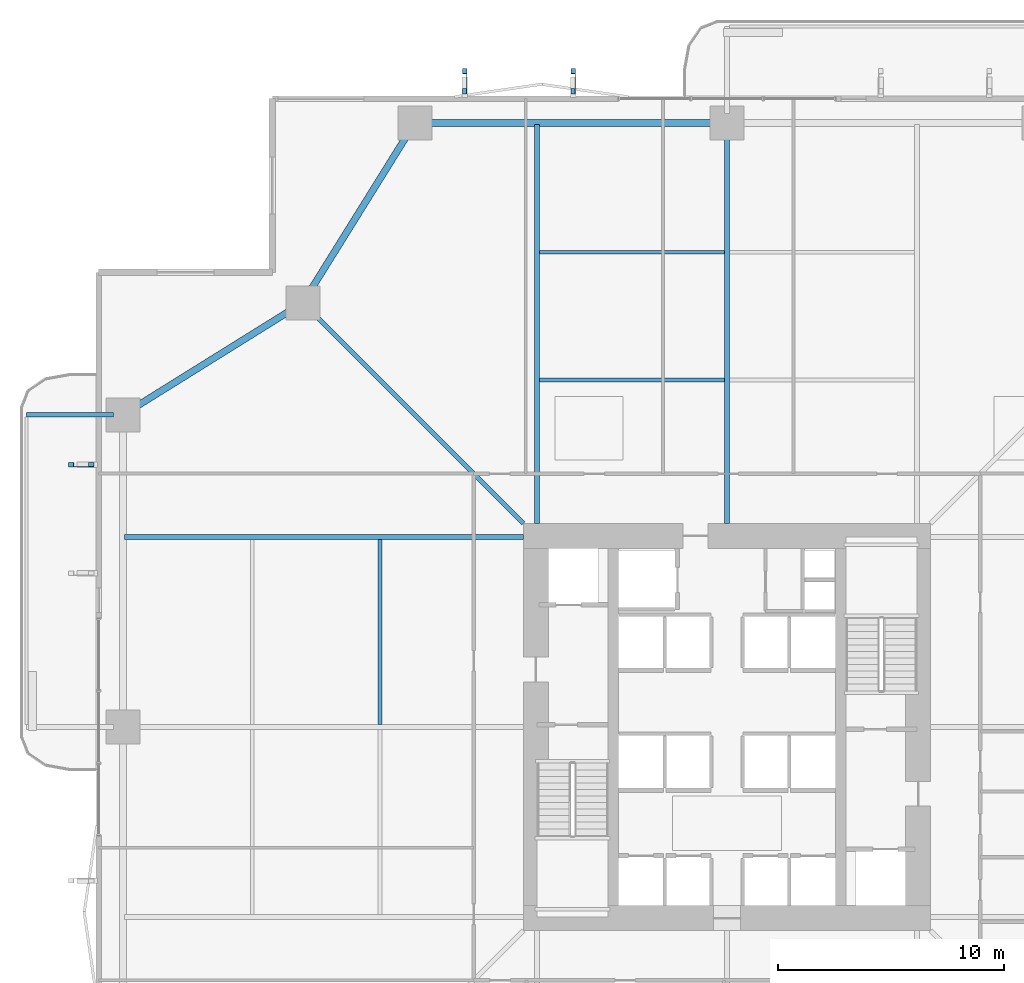
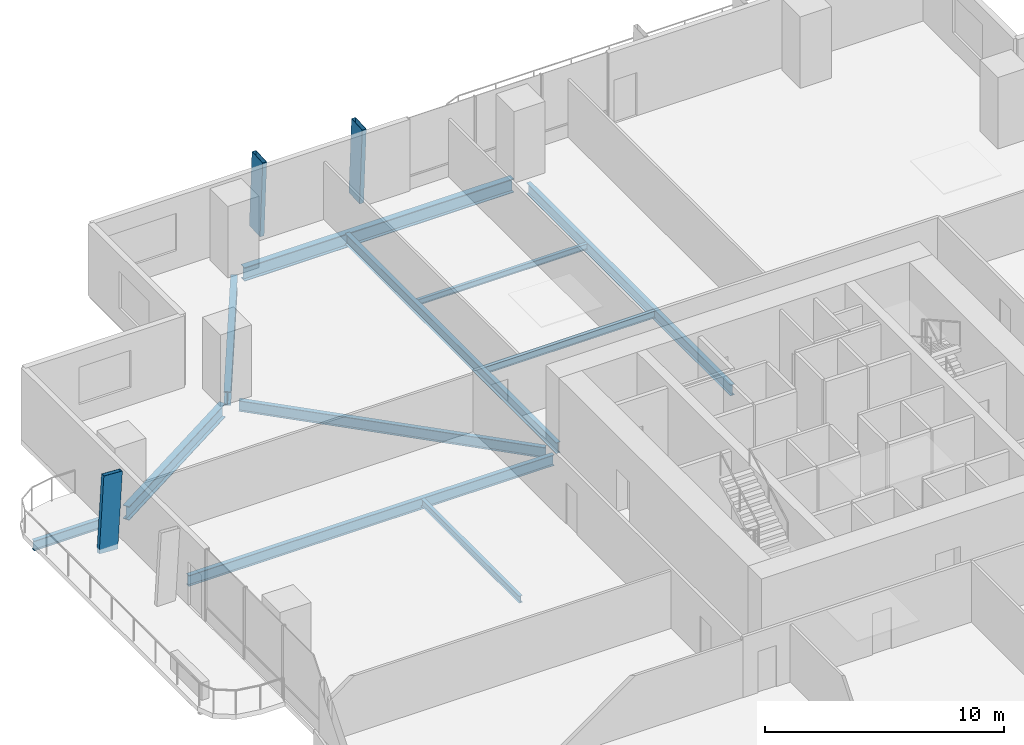
# One storey, part 10 of 23: 11 beams, 3 members.
"""IFC4 building model written with IfcOpenShell, lengths in metres."""

from ifc_helpers import new_model, si_unit, direction, frame, origin, origin_2d, place, context, subcontext, project, spatial, hollow_rectangle, i_section, extrude, material, material_profile, profile_set, type_object, element, save


model = new_model("IFC4")

# Units and contexts
model_context = context("Model", 3, precision=1e-05, world=origin(), true_north=direction((0.0, 1.0)))
body_context = subcontext(model_context, "Body", "Model", "MODEL_VIEW")
ifc_project = project(units=[si_unit("LENGTHUNIT", "METRE"), si_unit("AREAUNIT", "SQUARE_METRE"), si_unit("VOLUMEUNIT", "CUBIC_METRE"), si_unit("PLANEANGLEUNIT", "RADIAN"), si_unit("MASSUNIT", "GRAM", prefix="KILO")], contexts=[model_context])

# Site, building, storey
site_placement = place(None, origin())
site = spatial("IfcSite", under=ifc_project, at=site_placement, CompositionType="ELEMENT")
building_placement = place(site_placement, origin())
building = spatial("IfcBuilding", under=site, at=building_placement, Name="Belovzor Exchange Tower", CompositionType="ELEMENT")
storey_placement = place(building_placement, frame((0.0, 0.0, 88.5)))
storey = spatial("IfcBuildingStorey", under=building, at=storey_placement, Name="L21", CompositionType="ELEMENT", Elevation=88.5)

# Beams
ifc_material_1 = material(Name="Steel S355", Category="steel")
ifc_material_profile_1 = material_profile(ifc_material_1, i_section(OverallWidth=0.199951171875, OverallDepth=0.5, WebThickness=0.01025390625, FlangeThickness=0.01611328125, at=origin_2d()))
ifc_profile_set_1 = profile_set([ifc_material_profile_1], Name="Steel S355")
beam_type_1 = type_object("IfcBeamType", Name="Planted Balcony Cantilever Beam IPE 500", PredefinedType="BEAM", material=ifc_profile_set_1)
beam_1_placement = place(storey_placement, frame((1.68798828125, 42.60009765625, -0.5), z_axis=(-1.0, 0.0, 0.0), x_axis=(0.0, -1.0, 0.0)))
element("IfcBeam", 1, at=beam_1_placement, inside=storey, type_object=beam_type_1, Name="BC-500 Planted Balcony Cantilever Beam IPE 500", PredefinedType="BEAM", context=body_context, shape_type="SweptSolid", body=[
    extrude(i_section(OverallWidth=0.199951171875, OverallDepth=0.5, WebThickness=0.01025390625, FlangeThickness=0.01611328125, at=origin_2d()), origin(), (0.0, 0.0, 1.0), 3.85009765625),
])
ifc_material_2 = material(Name="Steel S355", Category="steel")
ifc_material_profile_2 = material_profile(ifc_material_2, i_section(OverallWidth=0.169921875, OverallDepth=0.360107421875, WebThickness=0.008056640625, FlangeThickness=0.0126953125, at=origin_2d()))
ifc_profile_set_2 = profile_set([ifc_material_profile_2], Name="Steel S355")
beam_type_2 = type_object("IfcBeamType", Name="Secondary Infill Floor Joist IPE 360", PredefinedType="BEAM", material=ifc_profile_set_2)
beam_2_placement = place(storey_placement, frame((20.5048828125, 44.14501953125, -0.429931640625), z_axis=(1.0, 0.0, 0.0), x_axis=(0.0, 1.0, 0.0)))
element("IfcBeam", 2, at=beam_2_placement, inside=storey, type_object=beam_type_2, Name="FJ-360 Secondary Infill Floor Joist IPE 360", PredefinedType="BEAM", context=body_context, shape_type="SweptSolid", body=[
    extrude(i_section(OverallWidth=0.169921875, OverallDepth=0.360107421875, WebThickness=0.008056640625, FlangeThickness=0.0126953125, at=origin_2d()), origin(), (0.0, 0.0, 1.0), 8.190185546875),
])
beam_3_placement = place(storey_placement, frame((13.455078125, 28.905029296875, -0.429931640625), z_axis=(0.0, 1.0, 0.0), x_axis=(-1.0, 0.0, 0.0)))
element("IfcBeam", 3, at=beam_3_placement, inside=storey, type_object=beam_type_2, Name="FJ-360 Secondary Infill Floor Joist IPE 360", PredefinedType="BEAM", context=body_context, shape_type="SweptSolid", body=[
    extrude(i_section(OverallWidth=0.169921875, OverallDepth=0.360107421875, WebThickness=0.008056640625, FlangeThickness=0.0126953125, at=origin_2d()), origin(), (0.0, 0.0, 1.0), 8.18994140625),
])
ifc_material_3 = material(Name="Steel S355", Category="steel")
ifc_material_profile_3 = material_profile(ifc_material_3, i_section(OverallWidth=0.14990234375, OverallDepth=0.300048828125, WebThickness=0.007080078125, FlangeThickness=0.0107421875, at=origin_2d()))
ifc_profile_set_3 = profile_set([ifc_material_profile_3], Name="Steel S355")
beam_type_3 = type_object("IfcBeamType", Name="Secondary Trim Floor Joist IPE 300", PredefinedType="BEAM", material=ifc_profile_set_3)
beam_4_placement = place(storey_placement, frame((20.5048828125, 49.784912109375, -0.39990234375), z_axis=(1.0, 0.0, 0.0), x_axis=(0.0, 1.0, 0.0)))
element("IfcBeam", 4, at=beam_4_placement, inside=storey, type_object=beam_type_3, Name="FJ-300 Secondary Trim Floor Joist IPE 300", PredefinedType="BEAM", context=body_context, shape_type="SweptSolid", body=[
    extrude(i_section(OverallWidth=0.14990234375, OverallDepth=0.300048828125, WebThickness=0.007080078125, FlangeThickness=0.0107421875, at=origin_2d()), origin(), (0.0, 0.0, 1.0), 8.190185546875),
])

# Members
ifc_material_4 = material(Name="Extruded Architectural Terracotta on Steel S355 Carrier", Category="masonry")
ifc_material_profile_4 = material_profile(ifc_material_4, hollow_rectangle(XDim=0.199951171875, YDim=0.89990234375, WallThickness=0.011962890625, at=origin_2d()))
ifc_profile_set_4 = profile_set([ifc_material_profile_4], Name="Extruded Architectural Terracotta on Steel S355 Carrier")
member_type = type_object("IfcMemberType", Name="Sweeping Terracotta Baguette Fin Assembly 1250", PredefinedType="USERDEFINED", material=ifc_profile_set_4)
for number, where, z_axis, x_axis, name in (
    (5, (17.199951171875, 57.449951171875, -0.25), (0.0, -0.057560598171, 0.998342014311), (1.0, 0.0, 0.0), "FIN-TC125 Terracotta Facade Fin L21 N1"),
    (6, (22.0, 57.449951171875, -0.25), (0.0, -0.057560598171, 0.998342014311), (1.0, 0.0, 0.0), "FIN-TC125 Terracotta Facade Fin L21 N2"),
    (7, (0.14990234375, 40.39990234375, -0.25), (0.0576228887, 0.0, 0.998338420926), (0.0, 1.0, 0.0), "FIN-TC125 Terracotta Facade Fin L21 W4"),
):
    element("IfcMember", number, at=place(storey_placement, frame(where, z_axis=z_axis, x_axis=x_axis)), inside=storey, type_object=member_type, Name=name, ObjectType="FIN", PredefinedType="USERDEFINED", context=body_context, shape_type="SweptSolid", body=[
        extrude(hollow_rectangle(XDim=0.199951171875, YDim=0.89990234375, WallThickness=0.011962890625, at=origin_2d()), origin(), (0.0, 0.0, 1.0), 3.906494140625),
    ])

# Beams
ifc_material_5 = material(Name="Steel S355", Category="steel")
ifc_material_profile_5 = material_profile(ifc_material_5, i_section(OverallWidth=0.300048828125, OverallDepth=0.699951171875, WebThickness=0.01708984375, FlangeThickness=0.031982421875, at=origin_2d()))
ifc_profile_set_5 = profile_set([ifc_material_profile_5], Name="Steel S355")
beam_type_4 = type_object("IfcBeamType", Name="Zone 1 Primary Perimeter Girder HEB 700", PredefinedType="BEAM", material=ifc_profile_set_5)
beam_5_placement = place(storey_placement, frame((28.386962890625, 55.5, -0.60009765625), z_axis=(-1.0, 0.0, 0.0), x_axis=(0.0, -1.0, 0.0)))
element("IfcBeam", 8, at=beam_5_placement, inside=storey, type_object=beam_type_4, Name="FG-Z1 Zone 1 Primary Perimeter Girder HEB 700", PredefinedType="BEAM", context=body_context, shape_type="SweptSolid", body=[
    extrude(i_section(OverallWidth=0.300048828125, OverallDepth=0.699951171875, WebThickness=0.01708984375, FlangeThickness=0.031982421875, at=origin_2d()), origin(), (0.0, 0.0, 1.0), 12.974853515625),
])
for number, where, z_axis, x_axis, name in (
    (9, (14.781982421875, 55.14990234375, -0.60009765625), (-0.528538629686, -0.848909251292, 0.0), (0.848909251292, -0.528538629686, 0.0), "FG-Z1 Zone 1 Primary Perimeter Girder HEB 700"),
    (10, (9.699951171875, 47.33203125, -0.60009765625), (-0.848909251292, -0.528538629686, 0.0), (0.528538629686, -0.848909251292, 0.0), "FG-Z1 Zone 1 Primary Perimeter Girder HEB 700"),
):
    element("IfcBeam", number, at=place(storey_placement, frame(where, z_axis=z_axis, x_axis=x_axis)), inside=storey, type_object=beam_type_4, Name=name, PredefinedType="BEAM", context=body_context, shape_type="SweptSolid", body=[
        extrude(i_section(OverallWidth=0.300048828125, OverallDepth=0.699951171875, WebThickness=0.01708984375, FlangeThickness=0.031982421875, at=origin_2d()), origin(), (0.0, 0.0, 1.0), 8.540283203125),
    ])
ifc_material_6 = material(Name="Steel S355", Category="steel")
ifc_material_profile_6 = material_profile(ifc_material_6, i_section(OverallWidth=0.2099609375, OverallDepth=0.550048828125, WebThickness=0.010986328125, FlangeThickness=0.01708984375, at=origin_2d()))
ifc_profile_set_6 = profile_set([ifc_material_profile_6], Name="Steel S355")
beam_type_5 = type_object("IfcBeamType", Name="Zone 1 Radial Composite Floor Beam IPE 550", PredefinedType="BEAM", material=ifc_profile_set_6)
beam_6_placement = place(storey_placement, frame((20.39990234375, 37.800048828125, -0.52490234375), z_axis=(0.0, 1.0, 0.0), x_axis=(-1.0, 0.0, 0.0)))
element("IfcBeam", 11, at=beam_6_placement, inside=storey, type_object=beam_type_5, Name="FB-550 Zone 1 Radial Composite Floor Beam IPE 550", PredefinedType="BEAM", context=body_context, shape_type="SweptSolid", body=[
    extrude(i_section(OverallWidth=0.2099609375, OverallDepth=0.550048828125, WebThickness=0.010986328125, FlangeThickness=0.01708984375, at=origin_2d()), origin(), (0.0, 0.0, 1.0), 17.625),
])
beam_7_placement = place(storey_placement, frame((28.800048828125, 37.800048828125, -0.52490234375), z_axis=(0.0, 1.0, 0.0), x_axis=(-1.0, 0.0, 0.0)))
element("IfcBeam", 12, at=beam_7_placement, inside=storey, type_object=beam_type_5, Name="FB-550 Zone 1 Radial Composite Floor Beam IPE 550", PredefinedType="BEAM", context=body_context, shape_type="SweptSolid", body=[
    extrude(i_section(OverallWidth=0.2099609375, OverallDepth=0.550048828125, WebThickness=0.010986328125, FlangeThickness=0.01708984375, at=origin_2d()), origin(), (0.0, 0.0, 1.0), 17.0400390625),
])
beam_8_placement = place(storey_placement, frame((19.800048828125, 37.199951171875, -0.52490234375), z_axis=(-1.0, 0.0, 0.0), x_axis=(0.0, -1.0, 0.0)))
element("IfcBeam", 13, at=beam_8_placement, inside=storey, type_object=beam_type_5, Name="FB-550 Zone 1 Radial Composite Floor Beam IPE 550", PredefinedType="BEAM", context=body_context, shape_type="SweptSolid", body=[
    extrude(i_section(OverallWidth=0.2099609375, OverallDepth=0.550048828125, WebThickness=0.010986328125, FlangeThickness=0.01708984375, at=origin_2d()), origin(), (0.0, 0.0, 1.0), 17.625),
])
beam_9_placement = place(storey_placement, frame((19.800048828125, 37.800048828125, -0.52490234375), z_axis=(-0.707106781187, 0.707106781187, 0.0), x_axis=(-0.707106781187, -0.707106781187, 0.0)))
element("IfcBeam", 14, at=beam_9_placement, inside=storey, type_object=beam_type_5, Name="FB-550 Zone 1 Radial Composite Floor Beam IPE 550", PredefinedType="BEAM", context=body_context, shape_type="SweptSolid", body=[
    extrude(i_section(OverallWidth=0.2099609375, OverallDepth=0.550048828125, WebThickness=0.010986328125, FlangeThickness=0.01708984375, at=origin_2d()), origin(), (0.0, 0.0, 1.0), 13.25830078125),
])

save(model, "model.ifc")
